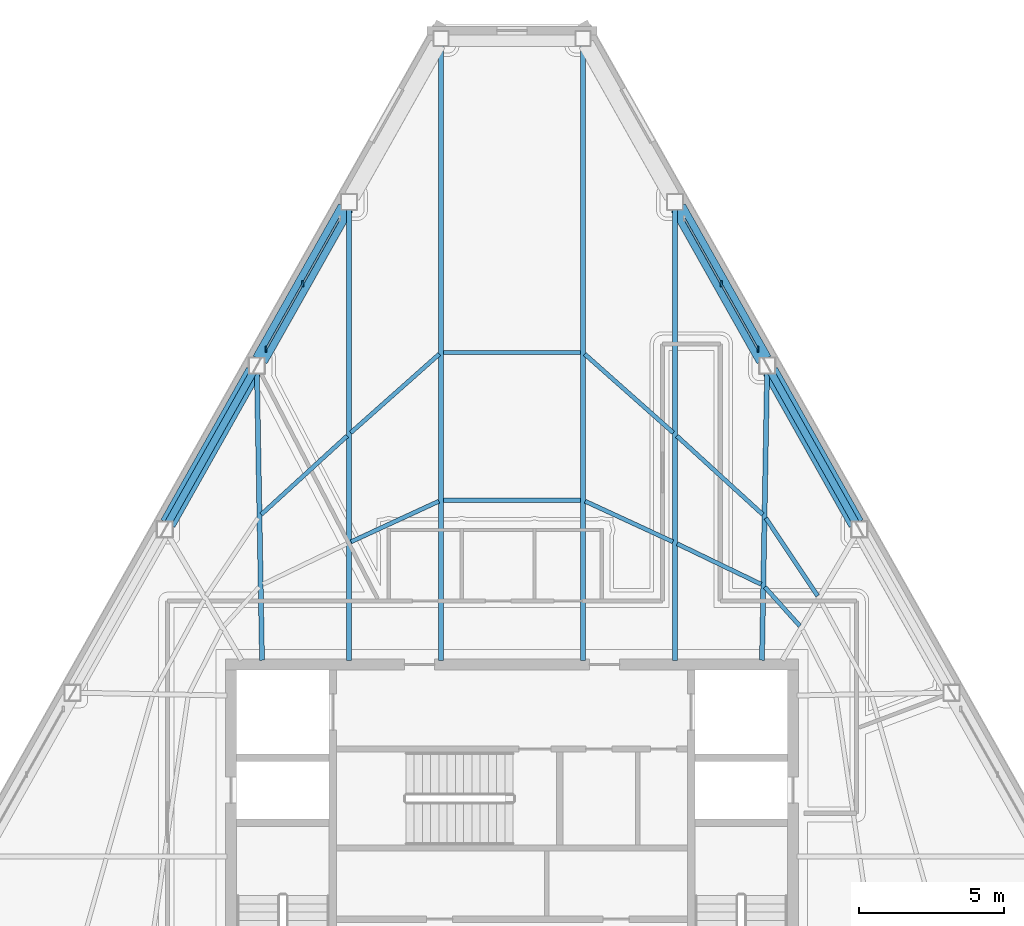
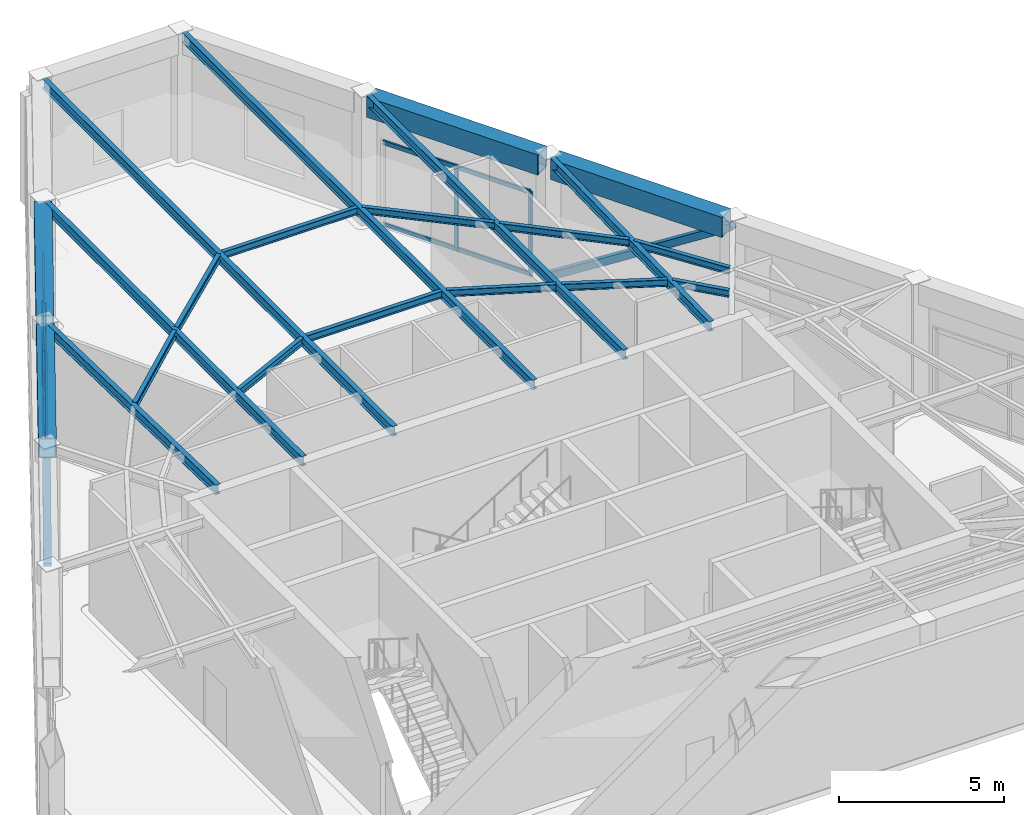
# One storey, part 3 of 15: 21 beams, 10 members, 2 elements without a shape of their own.
"""IFC4 building model written with IfcOpenShell, lengths in metres."""

from ifc_helpers import new_model, si_unit, direction, frame, origin, origin_2d, place, context, subcontext, project, spatial, rectangle, hollow_rectangle, i_section, extrude, material, layer, layer_set, material_profile, profile_set, type_object, element, aggregate, save


model = new_model("IFC4")

# Units and contexts
model_context = context("Model", 3, precision=1e-05, world=origin(), true_north=direction((0.0, 1.0)))
body_context = subcontext(model_context, "Body", "Model", "MODEL_VIEW")
ifc_project = project(units=[si_unit("LENGTHUNIT", "METRE"), si_unit("AREAUNIT", "SQUARE_METRE"), si_unit("VOLUMEUNIT", "CUBIC_METRE"), si_unit("PLANEANGLEUNIT", "RADIAN"), si_unit("MASSUNIT", "GRAM", prefix="KILO")], contexts=[model_context])

# Site, building, storey
site_placement = place(None, origin())
site = spatial("IfcSite", under=ifc_project, at=site_placement, CompositionType="ELEMENT")
building_placement = place(site_placement, origin())
building = spatial("IfcBuilding", under=site, at=building_placement, Name="Kavelnor Concourse Tower", CompositionType="ELEMENT")
storey_placement = place(building_placement, frame((0.0, 0.0, 304.949951171875)))
storey = spatial("IfcBuildingStorey", under=building, at=storey_placement, Name="L77", CompositionType="ELEMENT", Elevation=304.949951171875)

# Beams
ifc_material_1 = material(Name="Steel Grade 350", Category="steel")
ifc_material_profile_1 = material_profile(ifc_material_1, i_section(OverallWidth=0.14599609375, OverallDepth=0.256103515625, WebThickness=0.00634765625, FlangeThickness=0.010986328125, at=origin_2d()), Name="250UB37")
ifc_profile_set_1 = profile_set([ifc_material_profile_1], Name="Steel Grade 350")
beam_type_1 = type_object("IfcBeamType", Name="BM-JOIST-250", PredefinedType="JOIST", material=ifc_profile_set_1)
beam_1_placement = place(storey_placement, frame((47.952392578125, 24.124755859375, 4.64208984375), z_axis=(-0.66853227575, 0.743683128947, 0.0), x_axis=(-0.743683128947, -0.66853227575, 0.0)))
element("IfcBeam", 1, at=beam_1_placement, inside=storey, type_object=beam_type_1, Name="L77 Secondary Composite Joist 12-1", PredefinedType="JOIST", context=body_context, shape_type="SweptSolid", body=[
    extrude(i_section(OverallWidth=0.14599609375, OverallDepth=0.256103515625, WebThickness=0.00634765625, FlangeThickness=0.010986328125, at=origin_2d()), origin(), (0.0, 0.0, 1.0), 1.8095703125),
])
beam_2_placement = place(storey_placement, frame((48.567626953125, 25.16455078125, 4.64208984375), z_axis=(-0.554281887876, 0.832329014737, 0.0), x_axis=(-0.832329014737, -0.554281887876, 0.0)))
element("IfcBeam", 2, at=beam_2_placement, inside=storey, type_object=beam_type_1, Name="L77 Secondary Composite Joist 12-2", PredefinedType="JOIST", context=body_context, shape_type="SweptSolid", body=[
    extrude(i_section(OverallWidth=0.14599609375, OverallDepth=0.256103515625, WebThickness=0.00634765625, FlangeThickness=0.010986328125, at=origin_2d()), origin(), (0.0, 0.0, 1.0), 3.23291015625),
])
beam_3_placement = place(storey_placement, frame((46.614013671875, 25.567138671875, 4.64208984375), z_axis=(-0.900804141255, 0.434225631553, 0.0), x_axis=(-0.434225631553, -0.900804141255, 0.0)))
element("IfcBeam", 3, at=beam_3_placement, inside=storey, type_object=beam_type_1, Name="L77 Secondary Composite Joist 13-1", PredefinedType="JOIST", context=body_context, shape_type="SweptSolid", body=[
    extrude(i_section(OverallWidth=0.14599609375, OverallDepth=0.256103515625, WebThickness=0.00634765625, FlangeThickness=0.010986328125, at=origin_2d()), origin(), (0.0, 0.0, 1.0), 3.22216796875),
])
beam_4_placement = place(storey_placement, frame((46.669677734375, 27.97900390625, 4.64208984375), z_axis=(-0.738049517612, 0.674746552086, 0.0), x_axis=(-0.674746552086, -0.738049517612, 0.0)))
element("IfcBeam", 4, at=beam_4_placement, inside=storey, type_object=beam_type_1, Name="L77 Secondary Composite Joist 13-2", PredefinedType="JOIST", context=body_context, shape_type="SweptSolid", body=[
    extrude(i_section(OverallWidth=0.14599609375, OverallDepth=0.256103515625, WebThickness=0.00634765625, FlangeThickness=0.010986328125, at=origin_2d()), origin(), (0.0, 0.0, 1.0), 4.0263671875),
])
beam_5_placement = place(storey_placement, frame((43.56298828125, 27.0361328125, 4.64208984375), z_axis=(-0.907910228389, 0.419164665957, 0.0), x_axis=(-0.419164665957, -0.907910228389, 0.0)))
element("IfcBeam", 5, at=beam_5_placement, inside=storey, type_object=beam_type_1, Name="L77 Secondary Composite Joist 14-1", PredefinedType="JOIST", context=body_context, shape_type="SweptSolid", body=[
    extrude(i_section(OverallWidth=0.14599609375, OverallDepth=0.256103515625, WebThickness=0.00634765625, FlangeThickness=0.010986328125, at=origin_2d()), origin(), (0.0, 0.0, 1.0), 3.34375),
])
beam_6_placement = place(storey_placement, frame((43.576171875, 30.8056640625, 4.64208984375), z_axis=(-0.74783350742, 0.663886319471, 0.0), x_axis=(-0.663886319471, -0.74783350742, 0.0)))
element("IfcBeam", 6, at=beam_6_placement, inside=storey, type_object=beam_type_1, Name="L77 Secondary Composite Joist 14-2", PredefinedType="JOIST", context=body_context, shape_type="SweptSolid", body=[
    extrude(i_section(OverallWidth=0.14599609375, OverallDepth=0.256103515625, WebThickness=0.00634765625, FlangeThickness=0.010986328125, at=origin_2d()), origin(), (0.0, 0.0, 1.0), 4.0947265625),
])
for number, where, z_axis, x_axis, name in (
    (7, (40.37060546875, 28.47216796875, 4.64208984375), (-1.0, 0.0, 0.0), (0.0, -1.0, 0.0), "L77 Secondary Composite Joist 15-1"),
    (8, (40.37060546875, 33.57861328125, 4.64208984375), (-1.0, 0.0, 0.0), (0.0, -1.0, 0.0), "L77 Secondary Composite Joist 15-2"),
):
    element("IfcBeam", number, at=place(storey_placement, frame(where, z_axis=z_axis, x_axis=x_axis)), inside=storey, type_object=beam_type_1, Name=name, PredefinedType="JOIST", context=body_context, shape_type="SweptSolid", body=[
        extrude(i_section(OverallWidth=0.14599609375, OverallDepth=0.256103515625, WebThickness=0.00634765625, FlangeThickness=0.010986328125, at=origin_2d()), origin(), (0.0, 0.0, 1.0), 4.7412109375),
    ])
beam_7_placement = place(storey_placement, frame((35.472900390625, 28.437744140625, 4.64208984375), z_axis=(-0.907910228389, -0.419164665957, 0.0), x_axis=(0.419164665957, -0.907910228389, 0.0)))
element("IfcBeam", 9, at=beam_7_placement, inside=storey, type_object=beam_type_1, Name="L77 Secondary Composite Joist 16-1", PredefinedType="JOIST", context=body_context, shape_type="SweptSolid", body=[
    extrude(i_section(OverallWidth=0.14599609375, OverallDepth=0.256103515625, WebThickness=0.00634765625, FlangeThickness=0.010986328125, at=origin_2d()), origin(), (0.0, 0.0, 1.0), 3.34375),
])
beam_8_placement = place(storey_placement, frame((35.486083984375, 33.524169921875, 4.64208984375), z_axis=(-0.74783350742, -0.663886319471, 0.0), x_axis=(0.663886319471, -0.74783350742, 0.0)))
element("IfcBeam", 10, at=beam_8_placement, inside=storey, type_object=beam_type_1, Name="L77 Secondary Composite Joist 16-2", PredefinedType="JOIST", context=body_context, shape_type="SweptSolid", body=[
    extrude(i_section(OverallWidth=0.14599609375, OverallDepth=0.256103515625, WebThickness=0.00634765625, FlangeThickness=0.010986328125, at=origin_2d()), origin(), (0.0, 0.0, 1.0), 4.0947265625),
])
beam_9_placement = place(storey_placement, frame((32.302001953125, 30.69580078125, 4.64208984375), z_axis=(-0.738049517612, -0.674746552086, 0.0), x_axis=(0.674746552086, -0.738049517612, 0.0)))
element("IfcBeam", 11, at=beam_9_placement, inside=storey, type_object=beam_type_1, Name="L77 Secondary Composite Joist 17-2", PredefinedType="JOIST", context=body_context, shape_type="SweptSolid", body=[
    extrude(i_section(OverallWidth=0.14599609375, OverallDepth=0.256103515625, WebThickness=0.00634765625, FlangeThickness=0.010986328125, at=origin_2d()), origin(), (0.0, 0.0, 1.0), 4.0263671875),
])
ifc_material_profile_2 = material_profile(ifc_material_1, i_section(OverallWidth=0.172119140625, OverallDepth=0.35888671875, WebThickness=0.008056640625, FlangeThickness=0.012939453125, at=origin_2d()), Name="360UB56")
ifc_profile_set_2 = profile_set([ifc_material_profile_2], Name="Steel Grade 350")
beam_type_2 = type_object("IfcBeamType", Name="BM-PRIMARY-360", PredefinedType="BEAM", material=ifc_profile_set_2)
beam_10_placement = place(storey_placement, frame((35.547607421875, 22.93994140625, 4.590576171875), z_axis=(0.0, 1.0, 0.0), x_axis=(-1.0, 0.0, 0.0)))
element("IfcBeam", 12, at=beam_10_placement, inside=storey, type_object=beam_type_2, Name="L77 Primary Floor Girder F0-B0", PredefinedType="BEAM", context=body_context, shape_type="SweptSolid", body=[
    extrude(i_section(OverallWidth=0.172119140625, OverallDepth=0.35888671875, WebThickness=0.008056640625, FlangeThickness=0.012939453125, at=origin_2d()), origin(), (0.0, 0.0, 1.0), 21.27734375),
])
beam_11_placement = place(storey_placement, frame((32.362548828125, 22.93994140625, 4.590576171875), z_axis=(0.0, 1.0, 0.0), x_axis=(-1.0, 0.0, 0.0)))
element("IfcBeam", 13, at=beam_11_placement, inside=storey, type_object=beam_type_2, Name="L77 Primary Floor Girder F0-B1", PredefinedType="BEAM", context=body_context, shape_type="SweptSolid", body=[
    extrude(i_section(OverallWidth=0.172119140625, OverallDepth=0.35888671875, WebThickness=0.008056640625, FlangeThickness=0.012939453125, at=origin_2d()), origin(), (0.0, 0.0, 1.0), 15.62255859375),
])
for number, where, z_axis, x_axis, name in (
    (14, (29.35791015625, 22.93994140625, 4.590576171875), (-0.017706092997, 0.999843234848, 0.0), (-0.999843234848, -0.017706092997, 0.0), "L77 Primary Floor Girder F0-B2"),
    (15, (46.64208984375, 22.93994140625, 4.590576171875), (0.017706092997, 0.999843234848, 0.0), (-0.999843234848, 0.017706092997, 0.0), "L77 Primary Floor Girder F2-B4"),
):
    element("IfcBeam", number, at=place(storey_placement, frame(where, z_axis=z_axis, x_axis=x_axis)), inside=storey, type_object=beam_type_2, Name=name, PredefinedType="BEAM", context=body_context, shape_type="SweptSolid", body=[
        extrude(i_section(OverallWidth=0.172119140625, OverallDepth=0.35888671875, WebThickness=0.008056640625, FlangeThickness=0.012939453125, at=origin_2d()), origin(), (0.0, 0.0, 1.0), 9.968994140625),
    ])
beam_12_placement = place(storey_placement, frame((43.637451171875, 22.93994140625, 4.590576171875), z_axis=(0.0, 1.0, 0.0), x_axis=(-1.0, 0.0, 0.0)))
element("IfcBeam", 16, at=beam_12_placement, inside=storey, type_object=beam_type_2, Name="L77 Primary Floor Girder F2-B5", PredefinedType="BEAM", context=body_context, shape_type="SweptSolid", body=[
    extrude(i_section(OverallWidth=0.172119140625, OverallDepth=0.35888671875, WebThickness=0.008056640625, FlangeThickness=0.012939453125, at=origin_2d()), origin(), (0.0, 0.0, 1.0), 15.622314453125),
])
beam_13_placement = place(storey_placement, frame((40.452392578125, 22.93994140625, 4.590576171875), z_axis=(0.0, 1.0, 0.0), x_axis=(-1.0, 0.0, 0.0)))
element("IfcBeam", 17, at=beam_13_placement, inside=storey, type_object=beam_type_2, Name="L77 Primary Floor Girder F2-B6", PredefinedType="BEAM", context=body_context, shape_type="SweptSolid", body=[
    extrude(i_section(OverallWidth=0.172119140625, OverallDepth=0.35888671875, WebThickness=0.008056640625, FlangeThickness=0.012939453125, at=origin_2d()), origin(), (0.0, 0.0, 1.0), 21.27734375),
])
ifc_material_profile_3 = material_profile(ifc_material_1, hollow_rectangle(XDim=0.550048828125, YDim=0.75, WallThickness=0.034912109375, at=origin_2d()), Name="RHS 750x550x35")
ifc_profile_set_3 = profile_set([ifc_material_profile_3], Name="Steel Grade 350")
beam_type_3 = type_object("IfcBeamType", Name="BM-XFER-CHORD-750", PredefinedType="BEAM", material=ifc_profile_set_3)
for number, where, z_axis, x_axis, name in (
    (18, (32.252197265625, 38.58642578125, 4.39501953125), (-0.490727487572, -0.871313108441, 0.0), (0.871313108441, -0.490727487572, 0.0), "L77 Perimeter Tube Spandrel Beam F0-B1"),
    (19, (29.067138671875, 32.931396484375, 4.39501953125), (-0.490727487572, -0.871313108441, 0.0), (0.871313108441, -0.490727487572, 0.0), "L77 Perimeter Tube Spandrel Beam F0-B2"),
    (20, (49.89697265625, 27.66845703125, 4.39501953125), (-0.490727487572, 0.871313108441, 0.0), (-0.871313108441, -0.490727487572, 0.0), "L77 Perimeter Tube Spandrel Beam F2-B3"),
):
    element("IfcBeam", number, at=place(storey_placement, frame(where, z_axis=z_axis, x_axis=x_axis)), inside=storey, type_object=beam_type_3, Name=name, PredefinedType="BEAM", context=body_context, shape_type="SweptSolid", body=[
        extrude(hollow_rectangle(XDim=0.550048828125, YDim=0.75, WallThickness=0.034912109375, at=origin_2d()), origin(), (0.0, 0.0, 1.0), 6.040283203125),
    ])
beam_14_placement = place(storey_placement, frame((46.7119140625, 33.323486328125, 4.39501953125), z_axis=(-0.490744770345, 0.871303374479, 0.0), x_axis=(-0.871303374479, -0.490744770345, 0.0)))
element("IfcBeam", 21, at=beam_14_placement, inside=storey, type_object=beam_type_3, Name="L77 Perimeter Tube Spandrel Beam F2-B4", PredefinedType="BEAM", context=body_context, shape_type="SweptSolid", body=[
    extrude(hollow_rectangle(XDim=0.550048828125, YDim=0.75, WallThickness=0.034912109375, at=origin_2d()), origin(), (0.0, 0.0, 1.0), 6.0400390625),
])

# Curtain wall, members
ifc_material_2 = material(Name="Anodised aluminium 6063-T6", Category="aluminium")
ifc_layer = layer(ifc_material_2, 0.195068359375, Name="Anodised aluminium 6063-T6")
ifc_layer_set = layer_set([ifc_layer], Name="Anodised aluminium 6063-T6")
curtain_wall_type = type_object("IfcCurtainWallType", Name="CW-OBSERVATION-L77", PredefinedType="NOTDEFINED", material=ifc_layer_set)
curtain_wall_1_placement = place(storey_placement, origin())
curtain_wall_1 = element("IfcCurtainWall", 22, at=curtain_wall_1_placement, inside=storey, type_object=curtain_wall_type, Name="L77 Feature Curtain Wall F0-B1", PredefinedType="NOTDEFINED")
ifc_material_profile_4 = material_profile(ifc_material_2, rectangle(XDim=0.06494140625, YDim=0.195068359375, at=origin_2d()), Name="AL-MULL 65x195")
ifc_profile_set_4 = profile_set([ifc_material_profile_4], Name="Anodised aluminium 6063-T6")
member_type_1 = type_object("IfcMemberType", Name="CW-OBSERVATION-L77-MULL", PredefinedType="MULLION", material=ifc_profile_set_4)
member_1_placement = place(storey_placement, frame((30.77001953125, 35.954833984375, 0.0), z_axis=(0.0, 0.0, 1.0), x_axis=(1.0, 0.0, 0.0)))
member_1 = element("IfcMember", 23, at=member_1_placement, type_object=member_type_1, Name="L77 Feature Curtain Wall F0-B1 Mullion 1", PredefinedType="MULLION", context=body_context, shape_type="SweptSolid", body=[
    extrude(rectangle(XDim=0.06494140625, YDim=0.195068359375, at=origin_2d()), origin(), (0.0, 0.0, 1.0), 3.150146484375),
])
member_2_placement = place(storey_placement, frame((29.49658203125, 33.69384765625, 0.0), z_axis=(0.0, 0.0, 1.0), x_axis=(1.0, 0.0, 0.0)))
member_2 = element("IfcMember", 24, at=member_2_placement, type_object=member_type_1, Name="L77 Feature Curtain Wall F0-B1 Mullion 2", PredefinedType="MULLION", context=body_context, shape_type="SweptSolid", body=[
    extrude(rectangle(XDim=0.06494140625, YDim=0.195068359375, at=origin_2d()), origin(), (0.0, 0.0, 1.0), 3.150146484375),
])

curtain_wall_2_placement = place(storey_placement, origin())
curtain_wall_2 = element("IfcCurtainWall", 25, at=curtain_wall_2_placement, inside=storey, type_object=curtain_wall_type, Name="L77 Feature Curtain Wall F2-B4", PredefinedType="NOTDEFINED")
member_3_placement = place(storey_placement, frame((46.50341796875, 33.69384765625, 0.0), z_axis=(0.0, 0.0, 1.0), x_axis=(1.0, 0.0, 0.0)))
member_3 = element("IfcMember", 26, at=member_3_placement, type_object=member_type_1, Name="L77 Feature Curtain Wall F2-B4 Mullion 0", PredefinedType="MULLION", context=body_context, shape_type="SweptSolid", body=[
    extrude(rectangle(XDim=0.06494140625, YDim=0.195068359375, at=origin_2d()), origin(), (0.0, 0.0, 1.0), 3.150146484375),
])
member_4_placement = place(storey_placement, frame((45.22998046875, 35.954833984375, 0.0), z_axis=(0.0, 0.0, 1.0), x_axis=(1.0, 0.0, 0.0)))
member_4 = element("IfcMember", 27, at=member_4_placement, type_object=member_type_1, Name="L77 Feature Curtain Wall F2-B4 Mullion 1", PredefinedType="MULLION", context=body_context, shape_type="SweptSolid", body=[
    extrude(rectangle(XDim=0.06494140625, YDim=0.195068359375, at=origin_2d()), origin(), (0.0, 0.0, 1.0), 3.150146484375),
])

# Member
ifc_material_profile_5 = material_profile(ifc_material_2, rectangle(XDim=0.06494140625, YDim=0.155029296875, at=origin_2d()), Name="AL-TRAN 65x155")
ifc_profile_set_5 = profile_set([ifc_material_profile_5], Name="Anodised aluminium 6063-T6")
member_type_2 = type_object("IfcMemberType", Name="CW-OBSERVATION-L77-TRAN", PredefinedType="USERDEFINED", material=ifc_profile_set_5)
member_5_placement = place(storey_placement, frame((32.04345703125, 38.216064453125, 0.06005859375), z_axis=(-0.49071900726, -0.871317884537, 0.0), x_axis=(0.871317884537, -0.49071900726, 0.0)))
member_5 = element("IfcMember", 28, at=member_5_placement, type_object=member_type_2, Name="L77 Feature Curtain Wall F0-B1 Transom 0-BOT", ObjectType="TRANSOM", PredefinedType="USERDEFINED", context=body_context, shape_type="SweptSolid", body=[
    extrude(rectangle(XDim=0.06494140625, YDim=0.155029296875, at=origin_2d()), origin(), (0.0, 0.0, 1.0), 5.190185546875),
])

member_6_placement = place(storey_placement, frame((32.04345703125, 38.216064453125, 3.090087890625), z_axis=(-0.49071900726, -0.871317884537, 0.0), x_axis=(0.871317884537, -0.49071900726, 0.0)))
member_6 = element("IfcMember", 29, at=member_6_placement, type_object=member_type_2, Name="L77 Feature Curtain Wall F0-B1 Transom 0-TOP", ObjectType="TRANSOM", PredefinedType="USERDEFINED", context=body_context, shape_type="SweptSolid", body=[
    extrude(rectangle(XDim=0.06494140625, YDim=0.155029296875, at=origin_2d()), origin(), (0.0, 0.0, 1.0), 5.190185546875),
])

aggregate(curtain_wall_1, [member_1, member_2, member_5, member_6])

member_7_placement = place(storey_placement, frame((46.50341796875, 33.69384765625, 0.06005859375), z_axis=(-0.490739120859, 0.871306556419, 0.0), x_axis=(-0.871306556419, -0.490739120859, 0.0)))
member_7 = element("IfcMember", 30, at=member_7_placement, type_object=member_type_2, Name="L77 Feature Curtain Wall F2-B4 Transom 0-BOT", ObjectType="TRANSOM", PredefinedType="USERDEFINED", context=body_context, shape_type="SweptSolid", body=[
    extrude(rectangle(XDim=0.06494140625, YDim=0.155029296875, at=origin_2d()), origin(), (0.0, 0.0, 1.0), 5.18994140625),
])

member_8_placement = place(storey_placement, frame((46.50341796875, 33.69384765625, 3.090087890625), z_axis=(-0.490739120859, 0.871306556419, 0.0), x_axis=(-0.871306556419, -0.490739120859, 0.0)))
member_8 = element("IfcMember", 31, at=member_8_placement, type_object=member_type_2, Name="L77 Feature Curtain Wall F2-B4 Transom 0-TOP", ObjectType="TRANSOM", PredefinedType="USERDEFINED", context=body_context, shape_type="SweptSolid", body=[
    extrude(rectangle(XDim=0.06494140625, YDim=0.155029296875, at=origin_2d()), origin(), (0.0, 0.0, 1.0), 5.18994140625),
])

aggregate(curtain_wall_2, [member_3, member_4, member_7, member_8])

# Members
ifc_material_profile_6 = material_profile(ifc_material_1, hollow_rectangle(XDim=0.25, YDim=0.25, WallThickness=0.01611328125, at=origin_2d()), Name="SHS 250x250x16")
ifc_profile_set_6 = profile_set([ifc_material_profile_6], Name="Steel Grade 350")
member_type_3 = type_object("IfcMemberType", Name="MBR-TUBE-DIAG-Z4", PredefinedType="BRACE", material=ifc_profile_set_6)
for number, where, z_axis, x_axis, name in (
    (32, (25.99267578125, 27.472412109375, 0.219970703125), (0.412696454297, 0.732793251888, 0.541013573395), (-0.871321254481, 0.490713023559, 0.0), "L77 Framed-Tube Bracing Diagonal F0-B2"),
    (33, (46.822509765625, 33.12744140625, 0.219970703125), (0.412696454297, -0.732793251888, 0.541013573395), (0.871321254481, 0.490713023559, 0.0), "L77 Framed-Tube Bracing Diagonal F2-B3"),
):
    element("IfcMember", number, at=place(storey_placement, frame(where, z_axis=z_axis, x_axis=x_axis)), inside=storey, type_object=member_type_3, Name=name, PredefinedType="BRACE", context=body_context, shape_type="SweptSolid", body=[
        extrude(hollow_rectangle(XDim=0.25, YDim=0.25, WallThickness=0.01611328125, at=origin_2d()), origin(), (0.0, 0.0, 1.0), 7.717041015625),
    ])

save(model, "model.ifc")
